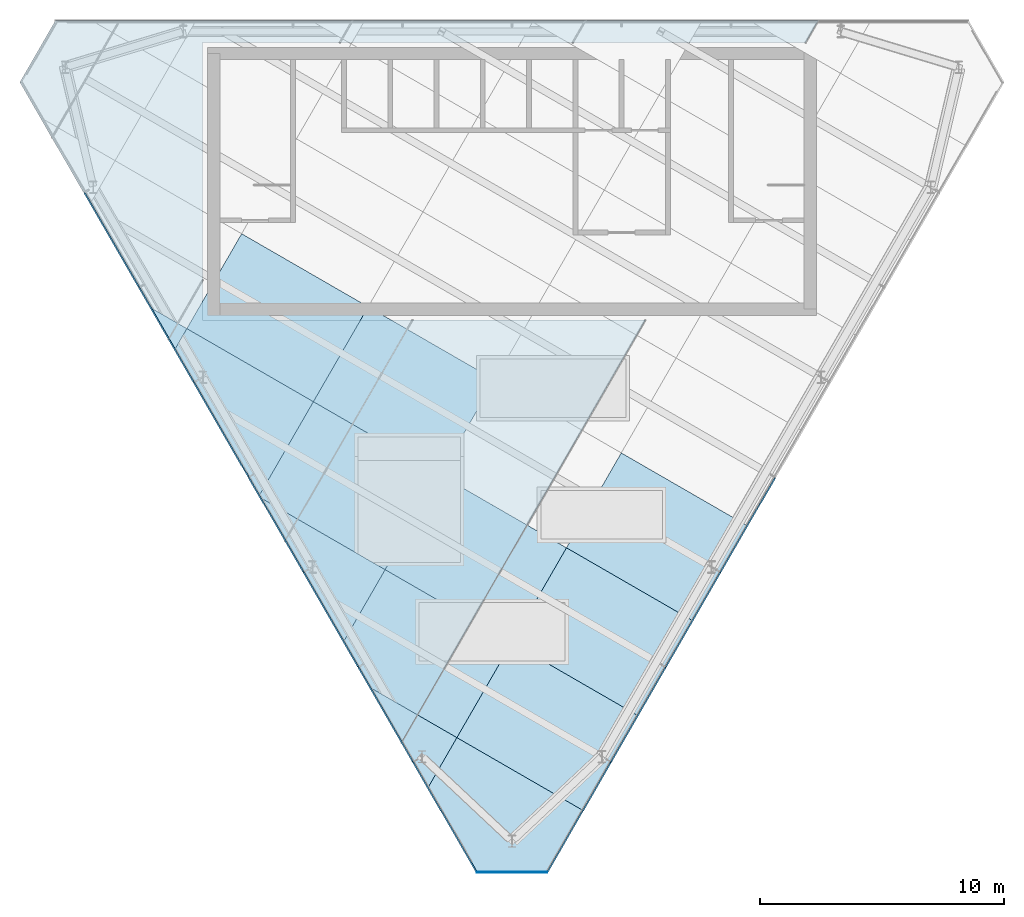
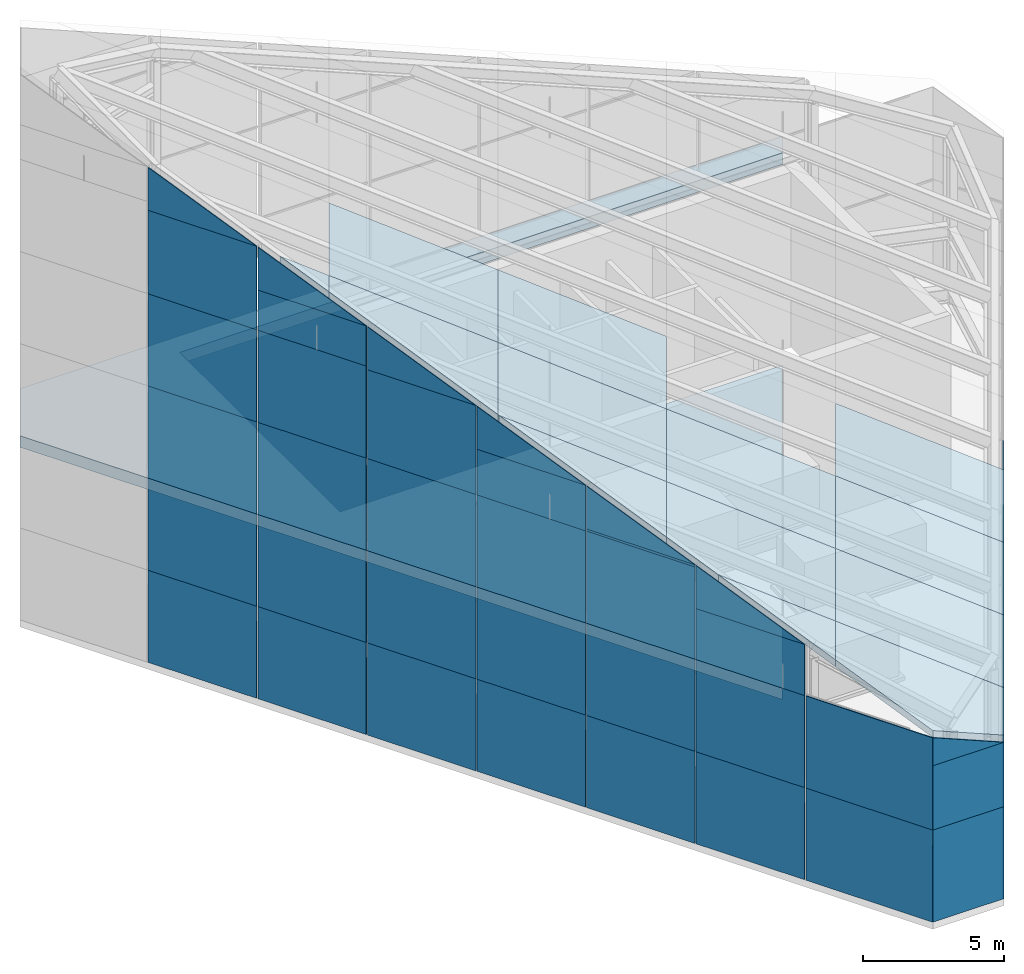
# One storey, part 11 of 16: 57 plates, 1 slab, 3 elements without a shape of their own.
"""IFC4 building model written with IfcOpenShell, lengths in metres."""

from ifc_helpers import new_model, si_unit, direction, frame, origin, place, context, subcontext, project, spatial, polyline, outline, extrude, material, layer, layer_set, type_object, element, aggregate, save


model = new_model("IFC4")

# Units and contexts
model_context = context("Model", 3, precision=1e-05, world=origin(), true_north=direction((0.0, 1.0)))
body_context = subcontext(model_context, "Body", "Model", "MODEL_VIEW")
ifc_project = project(units=[si_unit("LENGTHUNIT", "METRE"), si_unit("AREAUNIT", "SQUARE_METRE"), si_unit("VOLUMEUNIT", "CUBIC_METRE"), si_unit("PLANEANGLEUNIT", "RADIAN"), si_unit("MASSUNIT", "GRAM", prefix="KILO")], contexts=[model_context])

# Site, building, storey
site_placement = place(None, origin())
site = spatial("IfcSite", under=ifc_project, at=site_placement, CompositionType="ELEMENT")
building_placement = place(site_placement, origin())
building = spatial("IfcBuilding", under=site, at=building_placement, Name="Altiplano Prism Tower", CompositionType="ELEMENT")
storey_placement = place(building_placement, frame((0.0, 0.0, 358.0)))
storey = spatial("IfcBuildingStorey", under=building, at=storey_placement, Name="Crown", CompositionType="ELEMENT", Elevation=358.0)

# Curtain wall, plates
ifc_material_1 = material(Name="Aluminium and glass", Category="aluminium")
ifc_layer_1 = layer(ifc_material_1, 0.25)
ifc_layer_set_1 = layer_set([ifc_layer_1], Name="Aluminium and glass")
curtain_wall_type = type_object("IfcCurtainWallType", Name="CW5 crown glazing", PredefinedType="NOTDEFINED", material=ifc_layer_set_1)
curtain_wall_1_placement = place(storey_placement, origin())
curtain_wall_1 = element("IfcCurtainWall", 1, at=curtain_wall_1_placement, inside=storey, type_object=curtain_wall_type, Name="CW5 crown glazing face 2", PredefinedType="NOTDEFINED")
ifc_material_2 = material(Name="Clear glass", Category="glass")
ifc_layer_2 = layer(ifc_material_2, 0.0400390625)
ifc_layer_set_2 = layer_set([ifc_layer_2], Name="Clear glass")
plate_type_1 = type_object("IfcPlateType", Name="CW5 insulated glass unit 40", PredefinedType="CURTAIN_PANEL", material=ifc_layer_set_2)
plate_1_placement = place(storey_placement, frame((67.4306640625, 97.908203125, 4.0), z_axis=(-0.866036664382, -0.499980495566, 0.0), x_axis=(0.499980495566, -0.866036664382, 0.0)))
plate_1 = element("IfcPlate", 2, at=plate_1_placement, type_object=plate_type_1, Name="CW5 panel", PredefinedType="CURTAIN_PANEL", context=body_context, shape_type="SweptSolid", body=[
    extrude(outline(polyline([(0.0, 0.0), (4.449951171875, 0.0), (4.449951171875, 4.0), (0.0, 4.0), (0.0, 0.0)])), origin(), (0.0, 0.0, -1.0), 0.0400390625),
])
plate_2_placement = place(storey_placement, frame((67.4306640625, 97.908203125, 8.0), z_axis=(-0.866036664382, -0.499980495566, 0.0), x_axis=(0.499980495566, -0.866036664382, 0.0)))
plate_2 = element("IfcPlate", 3, at=plate_2_placement, type_object=plate_type_1, Name="CW5 panel", PredefinedType="CURTAIN_PANEL", context=body_context, shape_type="SweptSolid", body=[
    extrude(outline(polyline([(0.0, 0.0), (4.449951171875, 0.0), (4.449951171875, 4.0), (0.0, 4.0), (0.0, 0.0)])), origin(), (0.0, 0.0, -1.0), 0.0400390625),
])
plate_3_placement = place(storey_placement, frame((67.4306640625, 97.908203125, 12.0), z_axis=(-0.866036664382, -0.499980495566, 0.0), x_axis=(0.499980495566, -0.866036664382, 0.0)))
plate_3 = element("IfcPlate", 4, at=plate_3_placement, type_object=plate_type_1, Name="CW5 panel", PredefinedType="CURTAIN_PANEL", context=body_context, shape_type="SweptSolid", body=[
    extrude(outline(polyline([(0.0, 0.0), (4.449951171875, 0.0), (4.449951171875, 4.0), (0.0, 4.0), (0.0, 0.0)])), origin(), (0.0, 0.0, -1.0), 0.0400390625),
])
plate_4_placement = place(storey_placement, frame((67.4306640625, 97.908203125, 16.0), z_axis=(-0.866036664382, -0.499980495566, 0.0), x_axis=(0.499980495566, -0.866036664382, 0.0)))
plate_4 = element("IfcPlate", 5, at=plate_4_placement, type_object=plate_type_1, Name="CW5 panel", PredefinedType="CURTAIN_PANEL", context=body_context, shape_type="SweptSolid", body=[
    extrude(outline(polyline([(0.0, 0.0), (4.449951171875, 0.0), (4.449951171875, 3.626220703125), (0.0, 3.626220703125), (0.0, 0.0)])), origin(), (0.0, 0.0, -1.0), 0.0400390625),
])
plate_5_placement = place(storey_placement, frame((67.4306640625, 97.908203125, 21.487548828125), z_axis=(-0.866036664382, -0.499980495566, 0.0), x_axis=(0.0, 0.0, -1.0)))
plate_5 = element("IfcPlate", 6, at=plate_5_placement, type_object=plate_type_1, Name="CW5 panel", PredefinedType="CURTAIN_PANEL", context=body_context, shape_type="SweptSolid", body=[
    extrude(outline(polyline([(0.0, 0.0), (1.861328125, 0.0), (1.861328125, 4.449951171875), (0.0, 0.0)])), origin(), (0.0, 0.0, -1.0), 0.0400390625),
])
plate_6_placement = place(storey_placement, frame((69.6806640625, 94.010986328125, 4.0), z_axis=(-0.866036664382, -0.499980495566, 0.0), x_axis=(0.499980495566, -0.866036664382, 0.0)))
plate_6 = element("IfcPlate", 7, at=plate_6_placement, type_object=plate_type_1, Name="CW5 panel", PredefinedType="CURTAIN_PANEL", context=body_context, shape_type="SweptSolid", body=[
    extrude(outline(polyline([(0.0, 0.0), (4.449951171875, 0.0), (4.449951171875, 4.0), (0.0, 4.0), (0.0, 0.0)])), origin(), (0.0, 0.0, -1.0), 0.0400390625),
])
plate_7_placement = place(storey_placement, frame((69.6806640625, 94.010986328125, 8.0), z_axis=(-0.866036664382, -0.499980495566, 0.0), x_axis=(0.499980495566, -0.866036664382, 0.0)))
plate_7 = element("IfcPlate", 8, at=plate_7_placement, type_object=plate_type_1, Name="CW5 panel", PredefinedType="CURTAIN_PANEL", context=body_context, shape_type="SweptSolid", body=[
    extrude(outline(polyline([(0.0, 0.0), (4.449951171875, 0.0), (4.449951171875, 4.0), (0.0, 4.0), (0.0, 0.0)])), origin(), (0.0, 0.0, -1.0), 0.0400390625),
])
plate_8_placement = place(storey_placement, frame((69.6806640625, 94.010986328125, 12.0), z_axis=(-0.866036664382, -0.499980495566, 0.0), x_axis=(0.499980495566, -0.866036664382, 0.0)))
plate_8 = element("IfcPlate", 9, at=plate_8_placement, type_object=plate_type_1, Name="CW5 panel", PredefinedType="CURTAIN_PANEL", context=body_context, shape_type="SweptSolid", body=[
    extrude(outline(polyline([(0.0, 0.0), (4.449951171875, 0.0), (4.449951171875, 4.0), (0.0, 4.0), (0.0, 0.0)])), origin(), (0.0, 0.0, -1.0), 0.0400390625),
])
plate_9_placement = place(storey_placement, frame((69.6806640625, 94.010986328125, 16.0), z_axis=(-0.866036664382, -0.499980495566, 0.0), x_axis=(0.499980495566, -0.866036664382, 0.0)))
plate_9 = element("IfcPlate", 10, at=plate_9_placement, type_object=plate_type_1, Name="CW5 panel", PredefinedType="CURTAIN_PANEL", context=body_context, shape_type="SweptSolid", body=[
    extrude(outline(polyline([(0.0, 0.0), (4.449951171875, 0.0), (4.449951171875, 1.743896484375), (0.0, 1.743896484375), (0.0, 0.0)])), origin(), (0.0, 0.0, -1.0), 0.0400390625),
])
plate_10_placement = place(storey_placement, frame((69.6806640625, 94.010986328125, 19.605224609375), z_axis=(-0.866036664382, -0.499980495566, 0.0), x_axis=(0.0, 0.0, -1.0)))
plate_10 = element("IfcPlate", 11, at=plate_10_placement, type_object=plate_type_1, Name="CW5 panel", PredefinedType="CURTAIN_PANEL", context=body_context, shape_type="SweptSolid", body=[
    extrude(outline(polyline([(0.0, 0.0), (1.861328125, 0.0), (1.861328125, 4.449951171875), (0.0, 0.0)])), origin(), (0.0, 0.0, -1.0), 0.0400390625),
])
plate_11_placement = place(storey_placement, frame((71.9306640625, 90.114013671875, 4.0), z_axis=(-0.866036664382, -0.499980495566, 0.0), x_axis=(0.499980495566, -0.866036664382, 0.0)))
plate_11 = element("IfcPlate", 12, at=plate_11_placement, type_object=plate_type_1, Name="CW5 panel", PredefinedType="CURTAIN_PANEL", context=body_context, shape_type="SweptSolid", body=[
    extrude(outline(polyline([(0.0, 0.0), (4.449951171875, 0.0), (4.449951171875, 4.0), (0.0, 4.0), (0.0, 0.0)])), origin(), (0.0, 0.0, -1.0), 0.0400390625),
])
plate_12_placement = place(storey_placement, frame((71.9306640625, 90.114013671875, 8.0), z_axis=(-0.866036664382, -0.499980495566, 0.0), x_axis=(0.499980495566, -0.866036664382, 0.0)))
plate_12 = element("IfcPlate", 13, at=plate_12_placement, type_object=plate_type_1, Name="CW5 panel", PredefinedType="CURTAIN_PANEL", context=body_context, shape_type="SweptSolid", body=[
    extrude(outline(polyline([(0.0, 0.0), (4.449951171875, 0.0), (4.449951171875, 4.0), (0.0, 4.0), (0.0, 0.0)])), origin(), (0.0, 0.0, -1.0), 0.0400390625),
])
plate_13_placement = place(storey_placement, frame((71.9306640625, 90.114013671875, 12.0), z_axis=(-0.866036664382, -0.499980495566, 0.0), x_axis=(0.499980495566, -0.866036664382, 0.0)))
plate_13 = element("IfcPlate", 14, at=plate_13_placement, type_object=plate_type_1, Name="CW5 panel", PredefinedType="CURTAIN_PANEL", context=body_context, shape_type="SweptSolid", body=[
    extrude(outline(polyline([(0.0, 0.0), (4.449951171875, 0.0), (4.449951171875, 3.86181640625), (0.0, 3.86181640625), (0.0, 0.0)])), origin(), (0.0, 0.0, -1.0), 0.0400390625),
])
plate_14_placement = place(storey_placement, frame((71.9306640625, 90.114013671875, 17.72314453125), z_axis=(-0.866036664382, -0.499980495566, 0.0), x_axis=(0.0, 0.0, -1.0)))
plate_14 = element("IfcPlate", 15, at=plate_14_placement, type_object=plate_type_1, Name="CW5 panel", PredefinedType="CURTAIN_PANEL", context=body_context, shape_type="SweptSolid", body=[
    extrude(outline(polyline([(0.0, 0.0), (1.861328125, 0.0), (1.861328125, 4.449951171875), (0.0, 0.0)])), origin(), (0.0, 0.0, -1.0), 0.0400390625),
])
plate_15_placement = place(storey_placement, frame((74.1806640625, 86.216796875, 4.0), z_axis=(-0.866036664382, -0.499980495566, 0.0), x_axis=(0.499980495566, -0.866036664382, 0.0)))
plate_15 = element("IfcPlate", 16, at=plate_15_placement, type_object=plate_type_1, Name="CW5 panel", PredefinedType="CURTAIN_PANEL", context=body_context, shape_type="SweptSolid", body=[
    extrude(outline(polyline([(0.0, 0.0), (4.449951171875, 0.0), (4.449951171875, 4.0), (0.0, 4.0), (0.0, 0.0)])), origin(), (0.0, 0.0, -1.0), 0.0400390625),
])
plate_16_placement = place(storey_placement, frame((74.1806640625, 86.216796875, 8.0), z_axis=(-0.866036664382, -0.499980495566, 0.0), x_axis=(0.499980495566, -0.866036664382, 0.0)))
plate_16 = element("IfcPlate", 17, at=plate_16_placement, type_object=plate_type_1, Name="CW5 panel", PredefinedType="CURTAIN_PANEL", context=body_context, shape_type="SweptSolid", body=[
    extrude(outline(polyline([(0.0, 0.0), (4.449951171875, 0.0), (4.449951171875, 4.0), (0.0, 4.0), (0.0, 0.0)])), origin(), (0.0, 0.0, -1.0), 0.0400390625),
])
plate_17_placement = place(storey_placement, frame((74.1806640625, 86.216796875, 12.0), z_axis=(-0.866036664382, -0.499980495566, 0.0), x_axis=(0.499980495566, -0.866036664382, 0.0)))
plate_17 = element("IfcPlate", 18, at=plate_17_placement, type_object=plate_type_1, Name="CW5 panel", PredefinedType="CURTAIN_PANEL", context=body_context, shape_type="SweptSolid", body=[
    extrude(outline(polyline([(0.0, 0.0), (4.449951171875, 0.0), (4.449951171875, 1.9794921875), (0.0, 1.9794921875), (0.0, 0.0)])), origin(), (0.0, 0.0, -1.0), 0.0400390625),
])
plate_18_placement = place(storey_placement, frame((74.1806640625, 86.216796875, 15.8408203125), z_axis=(-0.866036664382, -0.499980495566, 0.0), x_axis=(0.0, 0.0, -1.0)))
plate_18 = element("IfcPlate", 19, at=plate_18_placement, type_object=plate_type_1, Name="CW5 panel", PredefinedType="CURTAIN_PANEL", context=body_context, shape_type="SweptSolid", body=[
    extrude(outline(polyline([(0.0, 0.0), (1.861328125, 0.0), (1.861328125, 4.449951171875), (0.0, 0.0)])), origin(), (0.0, 0.0, -1.0), 0.0400390625),
])
plate_19_placement = place(storey_placement, frame((76.4306640625, 82.31982421875, 4.0), z_axis=(-0.866036664382, -0.499980495566, 0.0), x_axis=(0.499980495566, -0.866036664382, 0.0)))
plate_19 = element("IfcPlate", 20, at=plate_19_placement, type_object=plate_type_1, Name="CW5 panel", PredefinedType="CURTAIN_PANEL", context=body_context, shape_type="SweptSolid", body=[
    extrude(outline(polyline([(0.0, 0.0), (4.449951171875, 0.0), (4.449951171875, 4.0), (0.0, 4.0), (0.0, 0.0)])), origin(), (0.0, 0.0, -1.0), 0.0400390625),
])
plate_20_placement = place(storey_placement, frame((76.4306640625, 82.31982421875, 8.0), z_axis=(-0.866036664382, -0.499980495566, 0.0), x_axis=(0.499980495566, -0.866036664382, 0.0)))
plate_20 = element("IfcPlate", 21, at=plate_20_placement, type_object=plate_type_1, Name="CW5 panel", PredefinedType="CURTAIN_PANEL", context=body_context, shape_type="SweptSolid", body=[
    extrude(outline(polyline([(0.0, 0.0), (4.449951171875, 0.0), (4.449951171875, 4.0), (0.0, 4.0), (0.0, 0.0)])), origin(), (0.0, 0.0, -1.0), 0.0400390625),
])
plate_21_placement = place(storey_placement, frame((76.4306640625, 82.31982421875, 12.0), z_axis=(-0.866036664382, -0.499980495566, 0.0), x_axis=(0.499980495566, -0.866036664382, 0.0)))
plate_21 = element("IfcPlate", 22, at=plate_21_placement, type_object=plate_type_1, Name="CW5 panel", PredefinedType="CURTAIN_PANEL", context=body_context, shape_type="SweptSolid", body=[
    extrude(outline(polyline([(0.0, 0.0), (4.449951171875, 0.0), (4.449951171875, 0.097412109375), (0.0, 0.097412109375), (0.0, 0.0)])), origin(), (0.0, 0.0, -1.0), 0.0400390625),
])
plate_22_placement = place(storey_placement, frame((76.4306640625, 82.31982421875, 13.95849609375), z_axis=(-0.866036664382, -0.499980495566, 0.0), x_axis=(0.0, 0.0, -1.0)))
plate_22 = element("IfcPlate", 23, at=plate_22_placement, type_object=plate_type_1, Name="CW5 panel", PredefinedType="CURTAIN_PANEL", context=body_context, shape_type="SweptSolid", body=[
    extrude(outline(polyline([(0.0, 0.0), (1.861083984375, 0.0), (1.861083984375, 4.449951171875), (0.0, 0.0)])), origin(), (0.0, 0.0, -1.0), 0.0400390625),
])
plate_23_placement = place(storey_placement, frame((78.6806640625, 78.422607421875, 4.0), z_axis=(-0.866036664382, -0.499980495566, 0.0), x_axis=(0.499980495566, -0.866036664382, 0.0)))
plate_23 = element("IfcPlate", 24, at=plate_23_placement, type_object=plate_type_1, Name="CW5 panel", PredefinedType="CURTAIN_PANEL", context=body_context, shape_type="SweptSolid", body=[
    extrude(outline(polyline([(0.0, 0.0), (4.449951171875, 0.0), (4.449951171875, 4.0), (0.0, 4.0), (0.0, 0.0)])), origin(), (0.0, 0.0, -1.0), 0.0400390625),
])
plate_24_placement = place(storey_placement, frame((78.6806640625, 78.422607421875, 8.0), z_axis=(-0.866036664382, -0.499980495566, 0.0), x_axis=(0.499980495566, -0.866036664382, 0.0)))
plate_24 = element("IfcPlate", 25, at=plate_24_placement, type_object=plate_type_1, Name="CW5 panel", PredefinedType="CURTAIN_PANEL", context=body_context, shape_type="SweptSolid", body=[
    extrude(outline(polyline([(0.0, 0.0), (4.449951171875, 0.0), (4.449951171875, 2.215087890625), (0.0, 2.215087890625), (0.0, 0.0)])), origin(), (0.0, 0.0, -1.0), 0.0400390625),
])
plate_25_placement = place(storey_placement, frame((78.6806640625, 78.422607421875, 12.076416015625), z_axis=(-0.866036664382, -0.499980495566, 0.0), x_axis=(0.0, 0.0, -1.0)))
plate_25 = element("IfcPlate", 26, at=plate_25_placement, type_object=plate_type_1, Name="CW5 panel", PredefinedType="CURTAIN_PANEL", context=body_context, shape_type="SweptSolid", body=[
    extrude(outline(polyline([(0.0, 0.0), (1.861328125, 0.0), (1.861328125, 4.449951171875), (0.0, 0.0)])), origin(), (0.0, 0.0, -1.0), 0.0400390625),
])
plate_26_placement = place(storey_placement, frame((80.9306640625, 74.525634765625, 4.0), z_axis=(-0.86605217628, -0.499953625809, 0.0), x_axis=(0.499953625809, -0.86605217628, 0.0)))
plate_26 = element("IfcPlate", 27, at=plate_26_placement, type_object=plate_type_1, Name="CW5 panel", PredefinedType="CURTAIN_PANEL", context=body_context, shape_type="SweptSolid", body=[
    extrude(outline(polyline([(0.0, 0.0), (5.2109375, 0.0), (5.2109375, 4.0), (0.0, 4.0), (0.0, 0.0)])), origin(), (0.0, 0.0, -1.0), 0.0400390625),
])

curtain_wall_2_placement = place(storey_placement, origin())
curtain_wall_2 = element("IfcCurtainWall", 28, at=curtain_wall_2_placement, inside=storey, type_object=curtain_wall_type, Name="CW5 crown glazing chamfer 2", PredefinedType="NOTDEFINED")
plate_27_placement = place(storey_placement, frame((83.54345703125, 70.008544921875, 4.0), z_axis=(0.0, -1.0, 0.0), x_axis=(1.0, 0.0, 0.0)))
plate_27 = element("IfcPlate", 29, at=plate_27_placement, type_object=plate_type_1, Name="CW5 panel", PredefinedType="CURTAIN_PANEL", context=body_context, shape_type="SweptSolid", body=[
    extrude(outline(polyline([(0.0, 0.0), (2.9130859375, 0.0), (2.9130859375, 2.7919921875), (0.0, 2.7919921875), (0.0, 0.0)])), origin(), (0.0, 0.0, -1.0), 0.0400390625),
])
plate_28_placement = place(storey_placement, frame((83.54345703125, 70.008544921875, 8.010498046875), z_axis=(0.0, -1.0, 0.0), x_axis=(0.0, 0.0, -1.0)))
plate_28 = element("IfcPlate", 30, at=plate_28_placement, type_object=plate_type_1, Name="CW5 panel", PredefinedType="CURTAIN_PANEL", context=body_context, shape_type="SweptSolid", body=[
    extrude(outline(polyline([(0.0, 0.0), (1.218505859375, 0.0), (1.218505859375, 2.9130859375), (0.0, 0.0)])), origin(), (0.0, 0.0, -1.0), 0.0400390625),
])

curtain_wall_3_placement = place(storey_placement, origin())
curtain_wall_3 = element("IfcCurtainWall", 31, at=curtain_wall_3_placement, inside=storey, type_object=curtain_wall_type, Name="CW5 crown glazing face 3", PredefinedType="NOTDEFINED")
plate_29_placement = place(storey_placement, frame((86.464111328125, 70.0126953125, 4.0), z_axis=(0.86605217628, -0.499953625809, 0.0), x_axis=(0.499953625809, 0.86605217628, 0.0)))
plate_29 = element("IfcPlate", 32, at=plate_29_placement, type_object=plate_type_1, Name="CW5 panel", PredefinedType="CURTAIN_PANEL", context=body_context, shape_type="SweptSolid", body=[
    extrude(outline(polyline([(0.0, 0.0), (5.2109375, 0.0), (5.2109375, 2.7900390625), (0.0, 2.7900390625), (0.0, 0.0)])), origin(), (0.0, 0.0, -1.0), 0.0400390625),
])
plate_30_placement = place(storey_placement, frame((89.094482421875, 74.56884765625, 4.0), z_axis=(0.866036664382, -0.499980495566, 0.0), x_axis=(0.499980495566, 0.866036664382, 0.0)))
plate_30 = element("IfcPlate", 33, at=plate_30_placement, type_object=plate_type_1, Name="CW5 panel", PredefinedType="CURTAIN_PANEL", context=body_context, shape_type="SweptSolid", body=[
    extrude(outline(polyline([(0.0, 0.0), (4.449951171875, 0.0), (4.449951171875, 2.7900390625), (0.0, 2.7900390625), (0.0, 0.0)])), origin(), (0.0, 0.0, -1.0), 0.0400390625),
])
plate_31_placement = place(storey_placement, frame((91.344482421875, 78.466064453125, 4.0), z_axis=(0.866036664382, -0.499980495566, 0.0), x_axis=(0.499980495566, 0.866036664382, 0.0)))
plate_31 = element("IfcPlate", 34, at=plate_31_placement, type_object=plate_type_1, Name="CW5 panel", PredefinedType="CURTAIN_PANEL", context=body_context, shape_type="SweptSolid", body=[
    extrude(outline(polyline([(0.0, 0.0), (4.449951171875, 0.0), (4.449951171875, 2.7900390625), (0.0, 2.7900390625), (0.0, 0.0)])), origin(), (0.0, 0.0, -1.0), 0.0400390625),
])
plate_32_placement = place(storey_placement, frame((93.594482421875, 82.363037109375, 4.0), z_axis=(0.866036664382, -0.499980495566, 0.0), x_axis=(0.499980495566, 0.866036664382, 0.0)))
plate_32 = element("IfcPlate", 35, at=plate_32_placement, type_object=plate_type_1, Name="CW5 panel", PredefinedType="CURTAIN_PANEL", context=body_context, shape_type="SweptSolid", body=[
    extrude(outline(polyline([(0.0, 0.0), (4.449951171875, 0.0), (4.449951171875, 2.7900390625), (0.0, 2.7900390625), (0.0, 0.0)])), origin(), (0.0, 0.0, -1.0), 0.0400390625),
])

# Plate
ifc_material_3 = material(Name="Anodised aluminium", Category="aluminium")
ifc_layer_3 = layer(ifc_material_3, 0.0400390625)
ifc_layer_set_3 = layer_set([ifc_layer_3], Name="Anodised aluminium")
plate_type_2 = type_object("IfcPlateType", Name="CW5 insulated metal spandrel panel 40", PredefinedType="CURTAIN_PANEL", material=ifc_layer_set_3)
plate_33_placement = place(storey_placement, frame((67.4306640625, 97.908203125, 0.0), z_axis=(-0.866036664382, -0.499980495566, 0.0), x_axis=(0.499980495566, -0.866036664382, 0.0)))
plate_33 = element("IfcPlate", 36, at=plate_33_placement, type_object=plate_type_2, Name="CW5 spandrel panel", PredefinedType="CURTAIN_PANEL", context=body_context, shape_type="SweptSolid", body=[
    extrude(outline(polyline([(0.0, 0.0), (4.449951171875, 0.0), (4.449951171875, 4.0), (0.0, 4.0), (0.0, 0.0)])), origin(), (0.0, 0.0, -1.0), 0.0400390625),
])

plate_34_placement = place(storey_placement, frame((69.6806640625, 94.010986328125, 0.0), z_axis=(-0.866036664382, -0.499980495566, 0.0), x_axis=(0.499980495566, -0.866036664382, 0.0)))
plate_34 = element("IfcPlate", 37, at=plate_34_placement, type_object=plate_type_2, Name="CW5 spandrel panel", PredefinedType="CURTAIN_PANEL", context=body_context, shape_type="SweptSolid", body=[
    extrude(outline(polyline([(0.0, 0.0), (4.449951171875, 0.0), (4.449951171875, 4.0), (0.0, 4.0), (0.0, 0.0)])), origin(), (0.0, 0.0, -1.0), 0.0400390625),
])

plate_35_placement = place(storey_placement, frame((71.9306640625, 90.114013671875, 0.0), z_axis=(-0.866036664382, -0.499980495566, 0.0), x_axis=(0.499980495566, -0.866036664382, 0.0)))
plate_35 = element("IfcPlate", 38, at=plate_35_placement, type_object=plate_type_2, Name="CW5 spandrel panel", PredefinedType="CURTAIN_PANEL", context=body_context, shape_type="SweptSolid", body=[
    extrude(outline(polyline([(0.0, 0.0), (4.449951171875, 0.0), (4.449951171875, 4.0), (0.0, 4.0), (0.0, 0.0)])), origin(), (0.0, 0.0, -1.0), 0.0400390625),
])

plate_36_placement = place(storey_placement, frame((74.1806640625, 86.216796875, 0.0), z_axis=(-0.866036664382, -0.499980495566, 0.0), x_axis=(0.499980495566, -0.866036664382, 0.0)))
plate_36 = element("IfcPlate", 39, at=plate_36_placement, type_object=plate_type_2, Name="CW5 spandrel panel", PredefinedType="CURTAIN_PANEL", context=body_context, shape_type="SweptSolid", body=[
    extrude(outline(polyline([(0.0, 0.0), (4.449951171875, 0.0), (4.449951171875, 4.0), (0.0, 4.0), (0.0, 0.0)])), origin(), (0.0, 0.0, -1.0), 0.0400390625),
])

plate_37_placement = place(storey_placement, frame((76.4306640625, 82.31982421875, 0.0), z_axis=(-0.866036664382, -0.499980495566, 0.0), x_axis=(0.499980495566, -0.866036664382, 0.0)))
plate_37 = element("IfcPlate", 40, at=plate_37_placement, type_object=plate_type_2, Name="CW5 spandrel panel", PredefinedType="CURTAIN_PANEL", context=body_context, shape_type="SweptSolid", body=[
    extrude(outline(polyline([(0.0, 0.0), (4.449951171875, 0.0), (4.449951171875, 4.0), (0.0, 4.0), (0.0, 0.0)])), origin(), (0.0, 0.0, -1.0), 0.0400390625),
])

plate_38_placement = place(storey_placement, frame((78.6806640625, 78.422607421875, 0.0), z_axis=(-0.866036664382, -0.499980495566, 0.0), x_axis=(0.499980495566, -0.866036664382, 0.0)))
plate_38 = element("IfcPlate", 41, at=plate_38_placement, type_object=plate_type_2, Name="CW5 spandrel panel", PredefinedType="CURTAIN_PANEL", context=body_context, shape_type="SweptSolid", body=[
    extrude(outline(polyline([(0.0, 0.0), (4.449951171875, 0.0), (4.449951171875, 4.0), (0.0, 4.0), (0.0, 0.0)])), origin(), (0.0, 0.0, -1.0), 0.0400390625),
])

plate_39_placement = place(storey_placement, frame((80.9306640625, 74.525634765625, 0.0), z_axis=(-0.86605217628, -0.499953625809, 0.0), x_axis=(0.499953625809, -0.86605217628, 0.0)))
plate_39 = element("IfcPlate", 42, at=plate_39_placement, type_object=plate_type_2, Name="CW5 spandrel panel", PredefinedType="CURTAIN_PANEL", context=body_context, shape_type="SweptSolid", body=[
    extrude(outline(polyline([(0.0, 0.0), (5.2109375, 0.0), (5.2109375, 4.0), (0.0, 4.0), (0.0, 0.0)])), origin(), (0.0, 0.0, -1.0), 0.0400390625),
])

aggregate(curtain_wall_1, [plate_33, plate_1, plate_2, plate_3, plate_4, plate_5, plate_34, plate_6, plate_7, plate_8, plate_9, plate_10, plate_35, plate_11, plate_12, plate_13, plate_14, plate_36, plate_15, plate_16, plate_17, plate_18, plate_37, plate_19, plate_20, plate_21, plate_22, plate_38, plate_23, plate_24, plate_25, plate_39, plate_26])

plate_40_placement = place(storey_placement, frame((83.54345703125, 70.008544921875, 0.0), z_axis=(0.0, -1.0, 0.0), x_axis=(1.0, 0.0, 0.0)))
plate_40 = element("IfcPlate", 43, at=plate_40_placement, type_object=plate_type_2, Name="CW5 spandrel panel", PredefinedType="CURTAIN_PANEL", context=body_context, shape_type="SweptSolid", body=[
    extrude(outline(polyline([(0.0, 0.0), (2.9130859375, 0.0), (2.9130859375, 4.0), (0.0, 4.0), (0.0, 0.0)])), origin(), (0.0, 0.0, -1.0), 0.0400390625),
])

aggregate(curtain_wall_2, [plate_40, plate_27, plate_28])

plate_41_placement = place(storey_placement, frame((86.464111328125, 70.0126953125, 0.0), z_axis=(0.86605217628, -0.499953625809, 0.0), x_axis=(0.499953625809, 0.86605217628, 0.0)))
plate_41 = element("IfcPlate", 44, at=plate_41_placement, type_object=plate_type_2, Name="CW5 spandrel panel", PredefinedType="CURTAIN_PANEL", context=body_context, shape_type="SweptSolid", body=[
    extrude(outline(polyline([(0.0, 0.0), (5.2109375, 0.0), (5.2109375, 4.0), (0.0, 4.0), (0.0, 0.0)])), origin(), (0.0, 0.0, -1.0), 0.0400390625),
])

plate_42_placement = place(storey_placement, frame((89.094482421875, 74.56884765625, 0.0), z_axis=(0.866036664382, -0.499980495566, 0.0), x_axis=(0.499980495566, 0.866036664382, 0.0)))
plate_42 = element("IfcPlate", 45, at=plate_42_placement, type_object=plate_type_2, Name="CW5 spandrel panel", PredefinedType="CURTAIN_PANEL", context=body_context, shape_type="SweptSolid", body=[
    extrude(outline(polyline([(0.0, 0.0), (4.449951171875, 0.0), (4.449951171875, 4.0), (0.0, 4.0), (0.0, 0.0)])), origin(), (0.0, 0.0, -1.0), 0.0400390625),
])

plate_43_placement = place(storey_placement, frame((91.344482421875, 78.466064453125, 0.0), z_axis=(0.866036664382, -0.499980495566, 0.0), x_axis=(0.499980495566, 0.866036664382, 0.0)))
plate_43 = element("IfcPlate", 46, at=plate_43_placement, type_object=plate_type_2, Name="CW5 spandrel panel", PredefinedType="CURTAIN_PANEL", context=body_context, shape_type="SweptSolid", body=[
    extrude(outline(polyline([(0.0, 0.0), (4.449951171875, 0.0), (4.449951171875, 4.0), (0.0, 4.0), (0.0, 0.0)])), origin(), (0.0, 0.0, -1.0), 0.0400390625),
])

plate_44_placement = place(storey_placement, frame((93.594482421875, 82.363037109375, 0.0), z_axis=(0.866036664382, -0.499980495566, 0.0), x_axis=(0.499980495566, 0.866036664382, 0.0)))
plate_44 = element("IfcPlate", 47, at=plate_44_placement, type_object=plate_type_2, Name="CW5 spandrel panel", PredefinedType="CURTAIN_PANEL", context=body_context, shape_type="SweptSolid", body=[
    extrude(outline(polyline([(0.0, 0.0), (4.449951171875, 0.0), (4.449951171875, 4.0), (0.0, 4.0), (0.0, 0.0)])), origin(), (0.0, 0.0, -1.0), 0.0400390625),
])

aggregate(curtain_wall_3, [plate_41, plate_29, plate_42, plate_30, plate_43, plate_31, plate_44, plate_32])

# Slab
ifc_material_4 = material(Name="Concrete C40/50", Category="concrete")
ifc_layer_4 = layer(ifc_material_4, 0.5)
ifc_layer_set_4 = layer_set([ifc_layer_4], Name="Concrete C40/50")
slab_type = type_object("IfcSlabType", Name="Crown platform slab 500", PredefinedType="FLOOR", material=ifc_layer_set_4)
slab_placement = place(storey_placement, frame((0.0, 0.0, 7.5)))
element("IfcSlab", 48, at=slab_placement, inside=storey, type_object=slab_type, Name="Crown platform slab 2", PredefinedType="FLOOR", context=body_context, shape_type="SweptSolid", body=[
    extrude(outline(polyline([(80.45751953125, 75.344970703125), (64.797607421875, 102.468505859375), (66.25927734375, 105.0), (97.578857421875, 105.0), (97.05908203125, 104.10009765625), (72.300048828125, 104.10009765625), (72.300048828125, 92.699951171875), (90.477294921875, 92.699951171875), (80.45751953125, 75.344970703125)])), origin(), (0.0, 0.0, 1.0), 0.5),
])

# Plates
ifc_material_5 = material(Name="Laminated glass roof panel", Category="glass")
ifc_layer_5 = layer(ifc_material_5, 0.300048828125)
ifc_layer_set_5 = layer_set([ifc_layer_5], Name="Laminated glass roof panel")
plate_type_3 = type_object("IfcPlateType", Name="Crown roof glazing panel 300", PredefinedType="SHEET", material=ifc_layer_set_5)
plate_45_placement = place(storey_placement, frame((94.68310546875, 84.248779296875, 7.10009765625), z_axis=(0.376621756007, -0.217436954417, 0.900487214654), x_axis=(-0.779849930288, 0.450234727654, 0.434882485557)))
element("IfcPlate", 49, at=plate_45_placement, inside=storey, type_object=plate_type_3, Name="Crown roof glazing panel 1.6", PredefinedType="SHEET", context=body_context, shape_type="SweptSolid", body=[
    extrude(outline(polyline([(0.0, 0.0), (6.6630859375, 0.0), (6.6630859375, 4.5), (0.0, 4.5), (0.0, 0.0)])), origin(), (-0.434882485557, 0.0, -0.900487214654), 0.300048828125),
])
plate_46_placement = place(storey_placement, frame((92.43310546875, 80.3515625, 7.10009765625), z_axis=(0.376615857581, -0.217447170998, 0.900487214592), x_axis=(-0.779849930288, 0.450234727654, 0.434882485557)))
element("IfcPlate", 50, at=plate_46_placement, inside=storey, type_object=plate_type_3, Name="Crown roof glazing panel 1.7", PredefinedType="SHEET", context=body_context, shape_type="SweptSolid", body=[
    extrude(outline(polyline([(0.0, 0.0), (6.6630859375, 0.0), (6.663330078125, 4.499755859375), (0.0, 4.499755859375), (0.0, 0.0)])), origin(), (-0.434882485557, 1.0623076e-05, -0.900487214592), 0.300048828125),
])
plate_47_placement = place(storey_placement, frame((90.18310546875, 76.45458984375, 7.10009765625), z_axis=(0.376621756007, -0.217436954417, 0.900487214654), x_axis=(-0.779849930288, 0.450234727654, 0.434882485557)))
element("IfcPlate", 51, at=plate_47_placement, inside=storey, type_object=plate_type_3, Name="Crown roof glazing panel 1.8", PredefinedType="SHEET", context=body_context, shape_type="SweptSolid", body=[
    extrude(outline(polyline([(0.0, 0.0), (6.6630859375, 0.0), (6.6630859375, 4.5), (0.0, 4.5), (0.0, 0.0)])), origin(), (-0.434882485557, 0.0, -0.900487214654), 0.300048828125),
])
plate_48_placement = place(storey_placement, frame((87.93310546875, 72.557373046875, 7.10009765625), z_axis=(0.376621175807, -0.217452899537, 0.900483606967), x_axis=(-0.779846806055, 0.450232923789, 0.434889955532)))
element("IfcPlate", 52, at=plate_48_placement, inside=storey, type_object=plate_type_3, Name="Crown roof glazing panel 1.9", PredefinedType="SHEET", context=body_context, shape_type="SweptSolid", body=[
    extrude(outline(polyline([(0.0, 0.0), (6.6630859375, 0.0), (6.6630859375, 2.402099609375), (2.81103515625, 4.404541015625), (0.0, 2.943115234375), (0.0, 0.0)])), origin(), (-0.434889955532, 1.2696027e-05, -0.900483606967), 0.300048828125),
])
plate_49_placement = place(storey_placement, frame((87.23681640625, 83.3515625, 9.997802734375), z_axis=(0.376652348816, -0.217468239988, 0.900466863759), x_axis=(-0.779823145819, 0.450240417978, 0.434924622509)))
element("IfcPlate", 53, at=plate_49_placement, inside=storey, type_object=plate_type_3, Name="Crown roof glazing panel 2.7", PredefinedType="SHEET", context=body_context, shape_type="SweptSolid", body=[
    extrude(outline(polyline([(0.0, 0.0), (6.6630859375, 0.0), (6.6630859375, 4.499755859375), (0.0, 4.499755859375), (0.0, 0.0)])), origin(), (-0.434924622509, 2.65606e-06, -0.900466863759), 0.300048828125),
])
plate_50_placement = place(storey_placement, frame((79.1337890625, 77.6376953125, 12.00732421875), z_axis=(0.376660599662, -0.217456742666, 0.900466189111), x_axis=(0.779815961749, -0.450251511693, -0.434926019019)))
element("IfcPlate", 54, at=plate_50_placement, inside=storey, type_object=plate_type_3, Name="Crown roof glazing panel 2.8", PredefinedType="SHEET", context=body_context, shape_type="SweptSolid", body=[
    extrude(outline(polyline([(0.0, 0.0), (4.620361328125, 0.0), (4.6201171875, 4.5), (-2.04296875, 4.5), (-2.042724609375, 1.061767578125), (0.0, 0.0)])), origin(), (0.434926019019, 1.5765472e-05, -0.900466189111), 0.300048828125),
])
plate_51_placement = place(storey_placement, frame((81.535888671875, 73.47705078125, 9.997802734375), z_axis=(0.376669782168, -0.21744380454, 0.900465472447), x_axis=(0.499954137189, 0.866051881071, 0.0)))
element("IfcPlate", 55, at=plate_51_placement, inside=storey, type_object=plate_type_3, Name="Crown roof glazing panel 2.9", PredefinedType="SHEET", context=body_context, shape_type="SweptSolid", body=[
    extrude(outline(polyline([(0.0, 0.0), (2.402099609375, 0.0), (2.40234375, 4.620361328125), (0.0, 0.0)])), origin(), (0.0, -0.434927503075, -0.900465472447), 0.300048828125),
])
plate_52_placement = place(storey_placement, frame((84.290771484375, 90.248779296875, 12.895751953125), z_axis=(0.376621756007, -0.217436954417, 0.900487214654), x_axis=(-0.779849930288, 0.450234727654, 0.434882485557)))
element("IfcPlate", 56, at=plate_52_placement, inside=storey, type_object=plate_type_3, Name="Crown roof glazing panel 3.6", PredefinedType="SHEET", context=body_context, shape_type="SweptSolid", body=[
    extrude(outline(polyline([(0.0, 0.0), (6.6630859375, 0.0), (6.6630859375, 4.5), (0.0, 4.5), (0.0, 0.0)])), origin(), (-0.434882485557, 0.0, -0.900487214654), 0.300048828125),
])
plate_53_placement = place(storey_placement, frame((74.6337890625, 85.431884765625, 15.771728515625), z_axis=(0.376630385226, -0.21743310263, 0.900484535573), x_axis=(0.779848394353, -0.450232029813, -0.434888032896)))
element("IfcPlate", 57, at=plate_53_placement, inside=storey, type_object=plate_type_3, Name="Crown roof glazing panel 3.7", PredefinedType="SHEET", context=body_context, shape_type="SweptSolid", body=[
    extrude(outline(polyline([(0.0, 0.0), (6.61279296875, 0.0), (6.613037109375, 4.499755859375), (-0.05029296875, 4.5), (-0.050048828125, 0.026123046875), (0.0, 0.0)])), origin(), (0.434888032896, 6.206864e-06, -0.900484535573), 0.300048828125),
])
plate_54_placement = place(storey_placement, frame((78.07177734375, 79.47705078125, 12.895751953125), z_axis=(0.376644713717, -0.217444689184, 0.90047574469), x_axis=(0.499980620405, 0.86603659231, 0.0)))
element("IfcPlate", 58, at=plate_54_placement, inside=storey, type_object=plate_type_3, Name="Crown roof glazing panel 3.8", PredefinedType="SHEET", context=body_context, shape_type="SweptSolid", body=[
    extrude(outline(polyline([(0.0, 0.0), (3.438232421875, 0.0), (3.438232421875, 6.61279296875), (0.0, 0.0)])), origin(), (0.0, -0.434906234981, -0.90047574469), 0.300048828125),
])
plate_55_placement = place(storey_placement, frame((79.094482421875, 93.248779296875, 15.79345703125), z_axis=(0.376658247982, -0.217458022514, 0.900466863728), x_axis=(-0.779823145819, 0.450240417978, 0.434924622509)))
element("IfcPlate", 59, at=plate_55_placement, inside=storey, type_object=plate_type_3, Name="Crown roof glazing panel 4.6", PredefinedType="SHEET", context=body_context, shape_type="SweptSolid", body=[
    extrude(outline(polyline([(0.0, 0.0), (6.6630859375, 0.0), (6.6630859375, 4.5), (0.0, 4.5), (0.0, 0.0)])), origin(), (-0.434924622509, -7.967805e-06, -0.900466863728), 0.300048828125),
])
plate_56_placement = place(storey_placement, frame((74.607666015625, 85.47705078125, 15.79345703125), z_axis=(0.37666046421, -0.217453064625, 0.900467133984), x_axis=(0.499977888299, 0.866038169604, 8.33524e-07)))
element("IfcPlate", 60, at=plate_56_placement, inside=storey, type_object=plate_type_3, Name="Crown roof glazing panel 4.7", PredefinedType="SHEET", context=body_context, shape_type="SweptSolid", body=[
    extrude(outline(polyline([(0.0, 0.0), (4.473876953125, 0.0), (4.47412109375, 6.6630859375), (3.46435546875, 6.6630859375), (0.0, 0.0)])), origin(), (-8.33524e-07, -0.434924063042, -0.900467133984), 0.300048828125),
])
plate_57_placement = place(storey_placement, frame((71.1435546875, 91.47705078125, 18.69140625), z_axis=(0.376648404104, -0.217450837434, 0.900472716402), x_axis=(0.499987549055, 0.866032592222, 0.0)))
element("IfcPlate", 61, at=plate_57_placement, inside=storey, type_object=plate_type_3, Name="Crown roof glazing panel 5.7", PredefinedType="SHEET", context=body_context, shape_type="SweptSolid", body=[
    extrude(outline(polyline([(0.0, 0.0), (1.009765625, 0.0), (1.009765625, 1.9423828125), (0.0, 0.0)])), origin(), (0.0, -0.434912505011, -0.900472716402), 0.300048828125),
])

save(model, "model.ifc")
